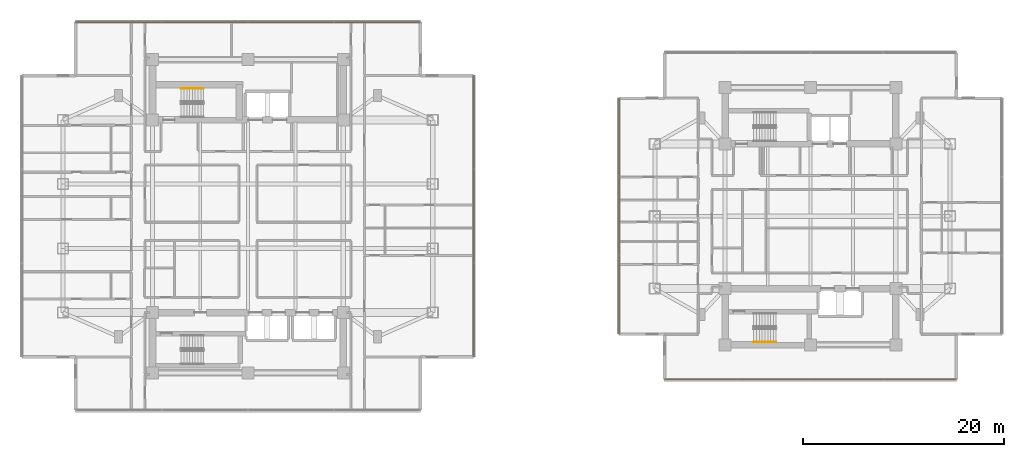
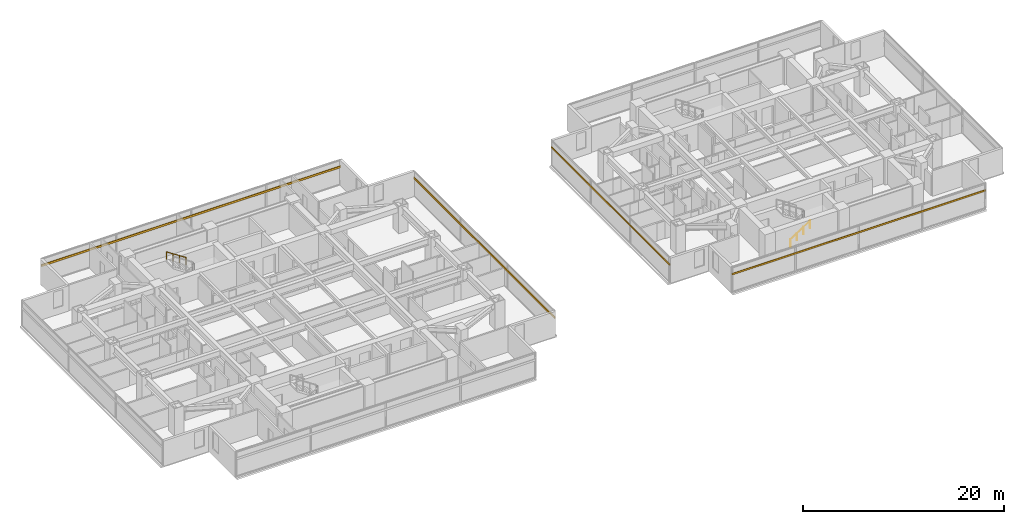
# One storey, part 24 of 26: 4 shading devices, 2 railings.
"""IFC4 building model written with IfcOpenShell, lengths in metres."""

from ifc_helpers import new_model, si_unit, direction, frame, origin, origin_2d, place, context, subcontext, project, spatial, rectangle, circle, extrude, material, material_profile, profile_set, type_object, element, save


model = new_model("IFC4")

# Units and contexts
model_context = context("Model", 3, precision=1e-05, world=origin(), true_north=direction((0.0, 1.0)))
body_context = subcontext(model_context, "Body", "Model", "MODEL_VIEW")
ifc_project = project(units=[si_unit("LENGTHUNIT", "METRE"), si_unit("AREAUNIT", "SQUARE_METRE"), si_unit("VOLUMEUNIT", "CUBIC_METRE"), si_unit("PLANEANGLEUNIT", "RADIAN"), si_unit("MASSUNIT", "GRAM", prefix="KILO")], contexts=[model_context])

# Site, building, storey
site_placement = place(None, origin())
site = spatial("IfcSite", under=ifc_project, at=site_placement, CompositionType="ELEMENT")
building_placement = place(site_placement, origin())
building = spatial("IfcBuilding", under=site, at=building_placement, Name="Mirazonda Arch Towers", CompositionType="ELEMENT")
storey_placement = place(building_placement, frame((0.0, 0.0, 114.800048828125)))
storey = spatial("IfcBuildingStorey", under=building, at=storey_placement, Name="L32", CompositionType="ELEMENT", Elevation=114.800048828125)

# Shading devices
ifc_material_1 = material(Name="Kiln-Fired Architectural Terracotta", Category="masonry")
ifc_material_profile_1 = material_profile(ifc_material_1, rectangle(XDim=0.1201171875, YDim=0.239990234375, at=origin_2d()), Name="TERRA-BAG-120x240")
ifc_profile_set_1 = profile_set([ifc_material_profile_1], Name="Kiln-Fired Architectural Terracotta")
shading_device_type_1 = type_object("IfcShadingDeviceType", Name="BAGUETTE-1", PredefinedType="USERDEFINED", material=ifc_profile_set_1)
shading_device_1_placement = place(storey_placement, frame((42.969970703125, 13.990966796875, 2.203125), z_axis=(0.0, 1.0, 0.0), x_axis=(-1.0, 0.0, 0.0)))
element("IfcShadingDevice", 1, at=shading_device_1_placement, inside=storey, type_object=shading_device_type_1, Name="L32 Glazed Terracotta Sun-Screen Baguette CW-L32-T1-E", ObjectType="BAGUETTE", PredefinedType="USERDEFINED", context=body_context, shape_type="SweptSolid", body=[
    extrude(rectangle(XDim=0.1201171875, YDim=0.239990234375, at=origin_2d()), origin(), (0.0, 0.0, 1.0), 28.01806640625),
])
shading_device_2_placement = place(storey_placement, frame((3.3349609375, 47.31396484375, 2.203125), z_axis=(1.0, 0.0, 0.0), x_axis=(0.0, 1.0, 0.0)))
element("IfcShadingDevice", 2, at=shading_device_2_placement, inside=storey, type_object=shading_device_type_1, Name="L32 Glazed Terracotta Sun-Screen Baguette CW-L32-T1-N", ObjectType="BAGUETTE", PredefinedType="USERDEFINED", context=body_context, shape_type="SweptSolid", body=[
    extrude(rectangle(XDim=0.1201171875, YDim=0.239990234375, at=origin_2d()), origin(), (0.0, 0.0, 1.0), 34.330078125),
])
ifc_material_profile_2 = material_profile(ifc_material_1, rectangle(XDim=0.10009765625, YDim=0.199951171875, at=origin_2d()), Name="TERRA-BAG-100x200")
ifc_profile_set_2 = profile_set([ifc_material_profile_2], Name="Kiln-Fired Architectural Terracotta")
shading_device_type_2 = type_object("IfcShadingDeviceType", Name="BAGUETTE-2", PredefinedType="USERDEFINED", material=ifc_profile_set_2)
shading_device_3_placement = place(storey_placement, frame((91.0302734375, 11.736083984375, 2.203125), z_axis=(-1.0, 0.0, 0.0), x_axis=(0.0, -1.0, 0.0)))
element("IfcShadingDevice", 3, at=shading_device_3_placement, inside=storey, type_object=shading_device_type_2, Name="L32 Glazed Terracotta Sun-Screen Baguette CW-L32-T2-S", ObjectType="BAGUETTE", PredefinedType="USERDEFINED", context=body_context, shape_type="SweptSolid", body=[
    extrude(rectangle(XDim=0.10009765625, YDim=0.199951171875, at=origin_2d()), origin(), (0.0, 0.0, 1.0), 29.060546875),
])
shading_device_4_placement = place(storey_placement, frame((57.45361328125, 39.74755859375, 2.203125), z_axis=(0.0, -1.0, 0.0), x_axis=(1.0, 0.0, 0.0)))
element("IfcShadingDevice", 4, at=shading_device_4_placement, inside=storey, type_object=shading_device_type_2, Name="L32 Glazed Terracotta Sun-Screen Baguette CW-L32-T2-W", ObjectType="BAGUETTE", PredefinedType="USERDEFINED", context=body_context, shape_type="SweptSolid", body=[
    extrude(rectangle(XDim=0.10009765625, YDim=0.199951171875, at=origin_2d()), origin(), (0.0, 0.0, 1.0), 23.4951171875),
])

# Railings
ifc_material_2 = material(Name="Architectural Brushed Steel S355", Category="steel")
railing_type = type_object("IfcRailingType", Name="HANDRAIL-915", PredefinedType="HANDRAIL", material=ifc_material_2)
railing_1_placement = place(storey_placement, frame((16.090087890625, 40.7099609375, 1.833251953125)))
element("IfcRailing", 5, at=railing_1_placement, inside=storey, type_object=railing_type, Name="L32 ST-T1N stair handrail 2", PredefinedType="HANDRAIL", context=body_context, shape_type="SweptSolid", body=[
    extrude(circle(Radius=0.02392578125, at=origin_2d()), frame((0.0, 0.0, 0.8759765625), z_axis=(-0.836595146698, 0.0, 0.547821650285), x_axis=(0.0, -1.0, 0.0)), (0.0, 0.0, 1.0), 2.677490234375),
    extrude(circle(Radius=0.02099609375, at=origin_2d()), origin(), (0.0, 0.0, 1.0), 0.851806640625),
    extrude(circle(Radius=0.02099609375, at=origin_2d()), frame((-0.74658203125, 0.0, 0.489013671875)), (0.0, 0.0, 1.0), 0.851806640625),
    extrude(circle(Radius=0.02099609375, at=origin_2d()), frame((-1.493408203125, 0.0, 0.977783203125)), (0.0, 0.0, 1.0), 0.851806640625),
    extrude(circle(Radius=0.02099609375, at=origin_2d()), frame((-2.239990234375, 0.0, 1.466796875)), (0.0, 0.0, 1.0), 0.851806640625),
])
railing_2_placement = place(storey_placement, frame((70.85009765625, 15.469970703125, 0.183349609375)))
element("IfcRailing", 6, at=railing_2_placement, inside=storey, type_object=railing_type, Name="L32 ST-T2S stair handrail 1", PredefinedType="HANDRAIL", context=body_context, shape_type="SweptSolid", body=[
    extrude(circle(Radius=0.02392578125, at=origin_2d()), frame((0.0, 0.0, 0.8759765625), z_axis=(0.836636935527, 0.0, 0.547757827979), x_axis=(0.0, 1.0, 0.0)), (0.0, 0.0, 1.0), 2.677490234375),
    extrude(circle(Radius=0.02099609375, at=origin_2d()), origin(), (0.0, 0.0, 1.0), 0.851806640625),
    extrude(circle(Radius=0.02099609375, at=origin_2d()), frame((0.74658203125, 0.0, 0.48876953125)), (0.0, 0.0, 1.0), 0.851806640625),
    extrude(circle(Radius=0.02099609375, at=origin_2d()), frame((1.493408203125, 0.0, 0.977783203125)), (0.0, 0.0, 1.0), 0.851806640625),
    extrude(circle(Radius=0.02099609375, at=origin_2d()), frame((2.239990234375, 0.0, 1.466552734375)), (0.0, 0.0, 1.0), 0.851806640625),
])

save(model, "model.ifc")
